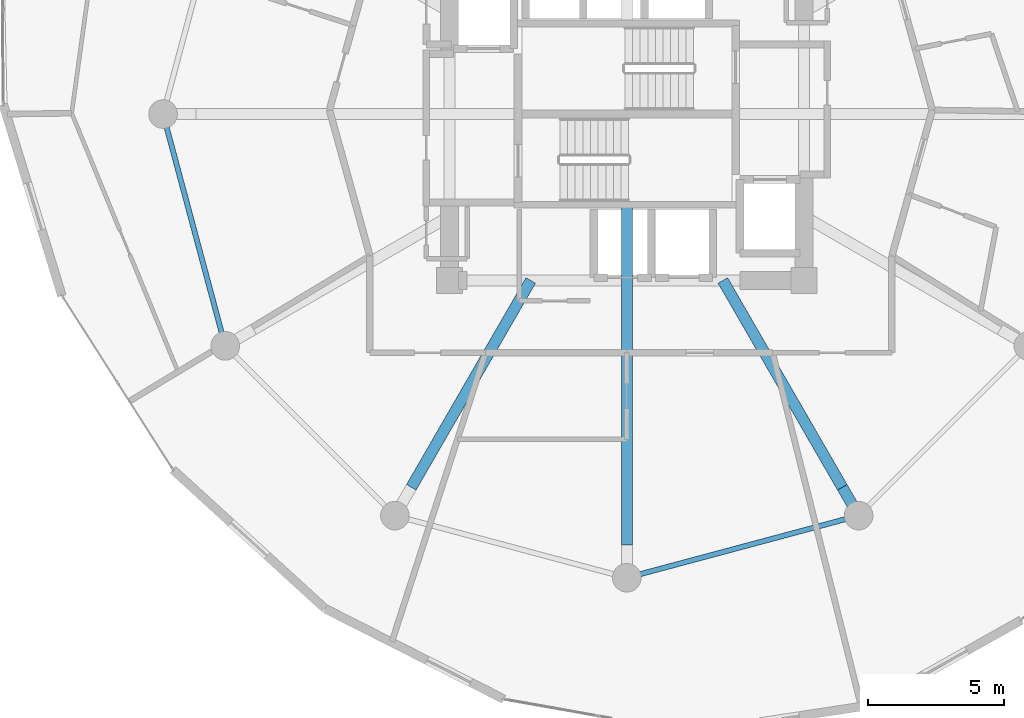
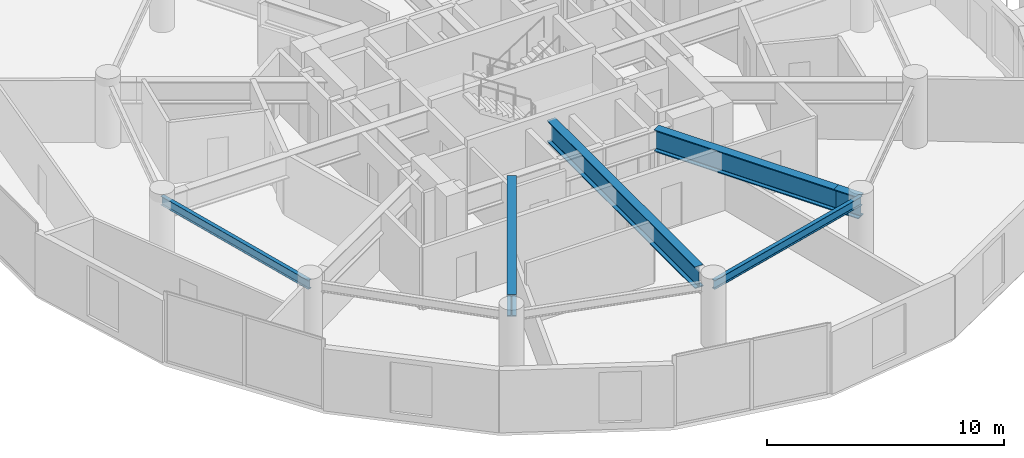
# One storey, part 4 of 22: 6 beams.
"""IFC4 building model written with IfcOpenShell, lengths in metres."""

from ifc_helpers import new_model, si_unit, direction, frame, origin, origin_2d, place, context, subcontext, project, spatial, i_section, extrude, material, material_profile, profile_set, type_object, element, save


model = new_model("IFC4")

# Units and contexts
model_context = context("Model", 3, precision=1e-05, world=origin(), true_north=direction((0.0, 1.0)))
body_context = subcontext(model_context, "Body", "Model", "MODEL_VIEW")
ifc_project = project(units=[si_unit("LENGTHUNIT", "METRE"), si_unit("AREAUNIT", "SQUARE_METRE"), si_unit("VOLUMEUNIT", "CUBIC_METRE"), si_unit("PLANEANGLEUNIT", "RADIAN"), si_unit("MASSUNIT", "GRAM", prefix="KILO")], contexts=[model_context])

# Site, building, storey
site_placement = place(None, origin())
site = spatial("IfcSite", under=ifc_project, at=site_placement, CompositionType="ELEMENT")
building_placement = place(site_placement, origin())
building = spatial("IfcBuilding", under=site, at=building_placement, Name="Solvirekh Grand Hotel", CompositionType="ELEMENT")
storey_placement = place(building_placement, frame((0.0, 0.0, 160.199951171875)))
storey = spatial("IfcBuildingStorey", under=building, at=storey_placement, Name="L41", CompositionType="ELEMENT", Elevation=160.199951171875)

# Beams
ifc_material_1 = material(Name="Steel S355", Category="steel")
ifc_material_profile_1 = material_profile(ifc_material_1, i_section(OverallWidth=0.18994140625, OverallDepth=0.45703125, WebThickness=0.009033203125, FlangeThickness=0.013916015625, FilletRadius=0.012939453125, at=origin_2d()), Name="W460X74")
ifc_profile_set_1 = profile_set([ifc_material_profile_1], Name="Steel S355")
beam_type_1 = type_object("IfcBeamType", Name="Spandrel_Ring_W460", PredefinedType="SPANDREL", material=ifc_profile_set_1)
for number, where, z_axis, x_axis, name in (
    (1, (-17.0, 0.0, 2.97216796875), (0.258872908946, -0.965911391906, 0.0), (0.965911391906, 0.258872908946, 0.0), "L41 perimeter spandrel beam 7"),
    (2, (0.0, -17.0, 2.97216796875), (0.965911391906, 0.258872908946, 0.0), (-0.258872908946, 0.965911391906, 0.0), "L41 perimeter spandrel beam 10"),
):
    element("IfcBeam", number, at=place(storey_placement, frame(where, z_axis=z_axis, x_axis=x_axis)), inside=storey, type_object=beam_type_1, Name=name, PredefinedType="SPANDREL", context=body_context, shape_type="SweptSolid", body=[
        extrude(i_section(OverallWidth=0.18994140625, OverallDepth=0.45703125, WebThickness=0.009033203125, FlangeThickness=0.013916015625, FilletRadius=0.012939453125, at=origin_2d()), origin(), (0.0, 0.0, 1.0), 8.800048828125),
    ])
ifc_material_2 = material(Name="Steel S460", Category="steel")
ifc_material_profile_2 = material_profile(ifc_material_2, i_section(OverallWidth=0.405029296875, OverallDepth=1.117919921875, WebThickness=0.02587890625, FlangeThickness=0.048095703125, FilletRadius=0.02392578125, at=origin_2d()), Name="W1100X499")
ifc_profile_set_2 = profile_set([ifc_material_profile_2], Name="Steel S460")
beam_type_2 = type_object("IfcBeamType", Name="TransferGirder_W1100", PredefinedType="USERDEFINED", material=ifc_profile_set_2)
beam_1_placement = place(storey_placement, frame((-3.52099609375, -6.10009765625, 2.64111328125), z_axis=(-0.500073199139, -0.865983138117, 0.0), x_axis=(0.865983138117, -0.500073199139, 0.0)))
element("IfcBeam", 3, at=beam_1_placement, inside=storey, type_object=beam_type_2, Name="L41 inner radial transfer girder 9A", ObjectType="TRANSFER GIRDER", PredefinedType="USERDEFINED", context=body_context, shape_type="SweptSolid", body=[
    extrude(i_section(OverallWidth=0.405029296875, OverallDepth=1.117919921875, WebThickness=0.02587890625, FlangeThickness=0.048095703125, FilletRadius=0.02392578125, at=origin_2d()), origin(), (0.0, 0.0, 1.0), 8.756591796875),
])
beam_2_placement = place(storey_placement, frame((0.0, -3.324951171875, 2.64111328125), z_axis=(0.0, -1.0, 0.0), x_axis=(1.0, 0.0, 0.0)))
element("IfcBeam", 4, at=beam_2_placement, inside=storey, type_object=beam_type_2, Name="L41 inner radial transfer girder 10A", ObjectType="TRANSFER GIRDER", PredefinedType="USERDEFINED", context=body_context, shape_type="SweptSolid", body=[
    extrude(i_section(OverallWidth=0.405029296875, OverallDepth=1.117919921875, WebThickness=0.02587890625, FlangeThickness=0.048095703125, FilletRadius=0.02392578125, at=origin_2d()), origin(), (0.0, 0.0, 1.0), 12.47509765625),
])
beam_3_placement = place(storey_placement, frame((3.52099609375, -6.10009765625, 2.64111328125), z_axis=(0.500073199139, -0.865983138117, 0.0), x_axis=(0.865983138117, 0.500073199139, 0.0)))
element("IfcBeam", 5, at=beam_3_placement, inside=storey, type_object=beam_type_2, Name="L41 inner radial transfer girder 11A", ObjectType="TRANSFER GIRDER", PredefinedType="USERDEFINED", context=body_context, shape_type="SweptSolid", body=[
    extrude(i_section(OverallWidth=0.405029296875, OverallDepth=1.117919921875, WebThickness=0.02587890625, FlangeThickness=0.048095703125, FilletRadius=0.02392578125, at=origin_2d()), origin(), (0.0, 0.0, 1.0), 8.756591796875),
])
beam_4_placement = place(storey_placement, frame((7.89990234375, -13.68310546875, 2.64111328125), z_axis=(0.500209787201, -0.865904249203, 0.0), x_axis=(0.865904249203, 0.500209787201, 0.0)))
element("IfcBeam", 6, at=beam_4_placement, inside=storey, type_object=beam_type_2, Name="L41 outer radial transfer girder 11B", ObjectType="TRANSFER GIRDER", PredefinedType="USERDEFINED", context=body_context, shape_type="SweptSolid", body=[
    extrude(i_section(OverallWidth=0.405029296875, OverallDepth=1.117919921875, WebThickness=0.02587890625, FlangeThickness=0.048095703125, FilletRadius=0.02392578125, at=origin_2d()), origin(), (0.0, 0.0, 1.0), 1.19970703125),
])

save(model, "model.ifc")
